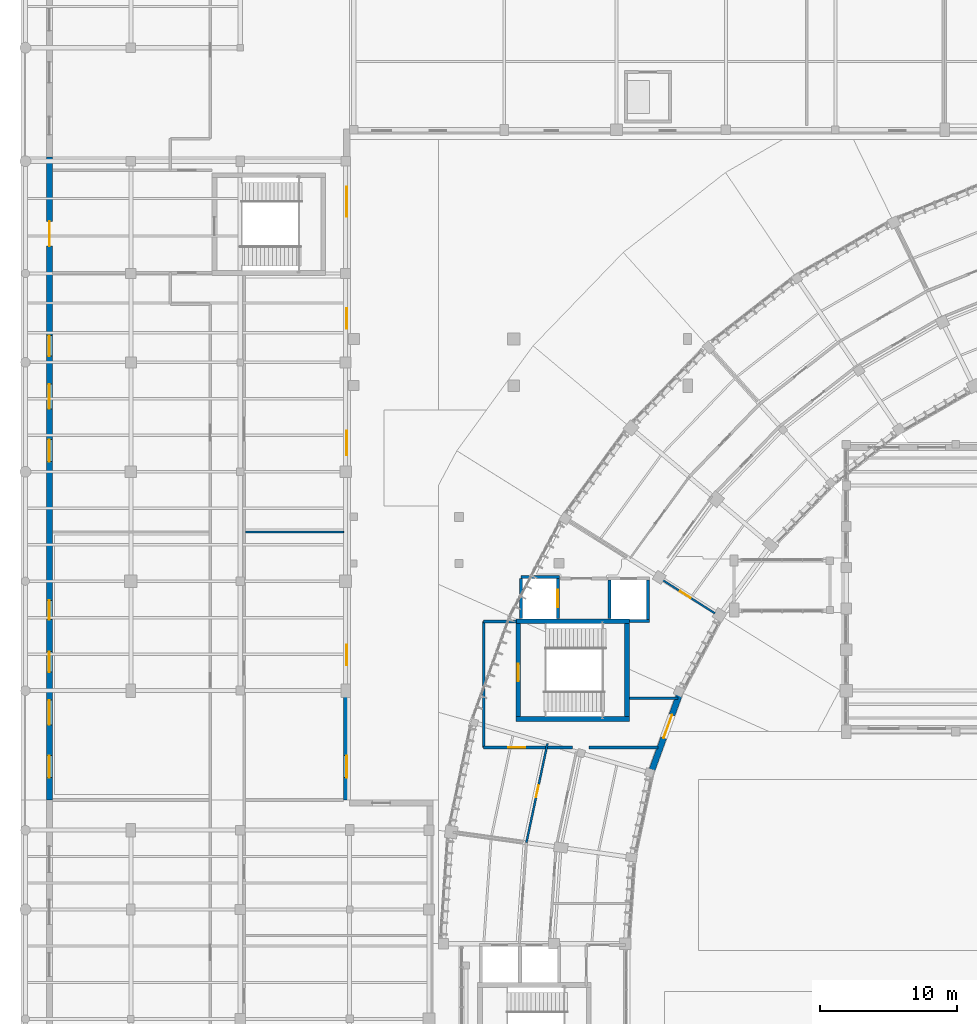
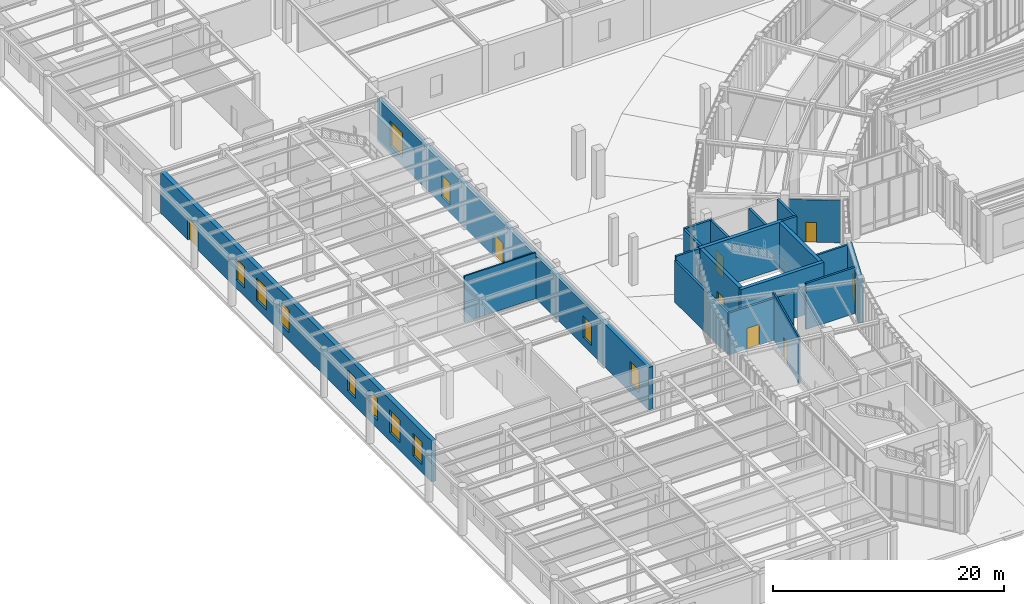
# One storey, part 38 of 68: 21 walls, 11 windows, 8 doors, 19 openings.
"""IFC4 building model written with IfcOpenShell, lengths in metres."""

import ifcopenshell
import ifcopenshell.guid

model = None  # the IFC model being written
_history = None  # IfcOwnerHistory: only IFC2X3 demands one
_inside = {}  # id of a spatial element -> (the spatial element, [elements in it])
_under = {}  # id of a project, library or spatial element -> (it, [spatial elements below it])
_declared = {}  # id of a project -> (the project, [libraries it declares])
_typed = {}  # id of a type object -> (the type object, [elements of that type])
_made_of = {}  # id of a material, layer set ... -> (it, [elements and type objects made of it])


def new_model(schema):
    """Start an empty IFC model of exactly this schema.

    Asked for "IFC4X3", IfcOpenShell would pick the latest addendum, in which some entities
    have other attributes; the version numbers below select the first issue.
    IFC2X3 requires an IfcOwnerHistory on every rooted entity: one is made here for all.
    """
    global model, _history
    if schema == "IFC4X3":
        model = ifcopenshell.file(schema_version=(4, 3, 0, 0))
    else:
        model = ifcopenshell.file(schema=schema)
    _inside.clear()
    _under.clear()
    _declared.clear()
    _typed.clear()
    _made_of.clear()
    _history = None
    if model.schema == "IFC2X3":
        org = make("IfcOrganization", Name="unknown")
        user = make(
            "IfcPersonAndOrganization",
            ThePerson=make("IfcPerson", FamilyName="unknown"),
            TheOrganization=org,
        )
        app = make(
            "IfcApplication",
            ApplicationDeveloper=org,
            Version="unknown",
            ApplicationFullName="unknown",
            ApplicationIdentifier="unknown",
        )
        _history = make(
            "IfcOwnerHistory",
            OwningUser=user,
            OwningApplication=app,
            ChangeAction="ADDED",
            CreationDate=0,
        )
    return model


def make(cls, **values):
    """One entity of the class cls with the attributes given. An attribute that is None is left unset."""
    return model.create_entity(
        cls, **{name: value for name, value in values.items() if value is not None}
    )


def rooted(cls, **values):
    """An entity with a GlobalId (a new one), such as an element, a storey or a relation."""
    return make(cls, GlobalId=ifcopenshell.guid.new(), OwnerHistory=_history, **values)


def si_unit(unit_type, name, prefix=None):
    """IfcSIUnit, for example si_unit("LENGTHUNIT", "METRE", prefix="MILLI")."""
    return make("IfcSIUnit", UnitType=unit_type, Prefix=prefix, Name=name)


def assignment(units):
    """IfcUnitAssignment: the units of a project."""
    return None if units is None else make("IfcUnitAssignment", Units=units)


def point(xyz):
    """IfcCartesianPoint."""
    return None if xyz is None else make("IfcCartesianPoint", Coordinates=xyz)


def direction(xyz):
    """IfcDirection."""
    return None if xyz is None else make("IfcDirection", DirectionRatios=xyz)


def frame(location, z_axis=None, x_axis=None):
    """IfcAxis2Placement3D, a coordinate frame: its origin and axes. An axis left out is left unset."""
    return make(
        "IfcAxis2Placement3D",
        Location=point(location),
        Axis=direction(z_axis),
        RefDirection=direction(x_axis),
    )


def frame_2d(location, x_axis=None):
    """IfcAxis2Placement2D, a coordinate frame in the plane: its origin and x axis."""
    return make(
        "IfcAxis2Placement2D", Location=point(location), RefDirection=direction(x_axis)
    )


def origin():
    """The frame at (0, 0, 0) with its axes left unset."""
    return frame((0.0, 0.0, 0.0))


def place(relative_to, where):
    """IfcLocalPlacement: puts the frame where relative to a parent placement (None: the world)."""
    return make(
        "IfcLocalPlacement", PlacementRelTo=relative_to, RelativePlacement=where
    )


def context(
    kind, dimensions, precision=None, world=None, true_north=None, identifier=None
):
    """IfcGeometricRepresentationContext, for example the 3D "Model" context."""
    return make(
        "IfcGeometricRepresentationContext",
        ContextIdentifier=identifier,
        ContextType=kind,
        CoordinateSpaceDimension=dimensions,
        Precision=precision,
        WorldCoordinateSystem=world,
        TrueNorth=true_north,
    )


def subcontext(parent, identifier, kind, view, scale=None):
    """IfcGeometricRepresentationSubContext, for example "Body" below "Model"."""
    return make(
        "IfcGeometricRepresentationSubContext",
        ContextIdentifier=identifier,
        ContextType=kind,
        ParentContext=parent,
        TargetScale=scale,
        TargetView=view,
    )


def project(units=None, contexts=None):
    """IfcProject with its units and contexts."""
    return rooted(
        "IfcProject",
        Name="project",
        RepresentationContexts=contexts,
        UnitsInContext=assignment(units),
    )


def spatial(cls, under=None, at=None, **own):
    """A site, building, storey or space (cls), placed at a placement, below another one or the project."""
    s = rooted(cls, ObjectPlacement=at, **own)
    if under is not None:
        _under.setdefault(under.id(), (under, []))[1].append(s)
    return s


def profile(cls, at=None, kind="AREA", **sizes):
    """A parametric profile (cls). Its sizes go by their IFC names, for example OverallWidth=200.0."""
    return make(cls, ProfileType=kind, Position=at, **sizes)


def rectangle(**sizes):
    """IfcRectangleProfileDef."""
    return profile("IfcRectangleProfileDef", **sizes)


def extrude(swept, where, along, depth):
    """IfcExtrudedAreaSolid: the profile swept, set in the frame where, extruded along a direction by depth."""
    return make(
        "IfcExtrudedAreaSolid",
        SweptArea=swept,
        Position=where,
        ExtrudedDirection=direction(along),
        Depth=depth,
    )


def shape(context_of_items, identifier, shape_type, items):
    """IfcShapeRepresentation: the items that make up one representation, for example the "Body"."""
    return make(
        "IfcShapeRepresentation",
        ContextOfItems=context_of_items,
        RepresentationIdentifier=identifier,
        RepresentationType=shape_type,
        Items=items,
    )


def material(Name=None, Category=None):
    """IfcMaterial."""
    return make("IfcMaterial", Name=Name, Category=Category)


def layer(
    of_material, thickness, ventilated=None, Name=None, Category=None, Priority=None
):
    """IfcMaterialLayer: one layer of a wall or slab, of a material (None: an air gap)."""
    return make(
        "IfcMaterialLayer",
        Material=of_material,
        LayerThickness=thickness,
        IsVentilated=ventilated,
        Name=Name,
        Category=Category,
        Priority=Priority,
    )


def layer_set(layers, Name=None):
    """IfcMaterialLayerSet."""
    return make("IfcMaterialLayerSet", MaterialLayers=layers, LayerSetName=Name)


def made_of(thing, what):
    """Note that an element or type object is made of a material, layer set ...; save() writes the relation."""
    if what is not None:
        _made_of.setdefault(what.id(), (what, []))[1].append(thing)
    return thing


def type_object(cls, material=None, **own):
    """A type object (cls), such as IfcWallType, which elements share."""
    return made_of(rooted(cls, **own), material)


def element(
    cls,
    number,
    at=None,
    inside=None,
    cuts=None,
    type_object=None,
    material=None,
    context=None,
    identifier="Body",
    shape_type=None,
    held_by="IfcProductDefinitionShape",
    body=None,
    shapes=None,
    **own,
):
    """One element of the class cls, such as IfcWall. Its Tag is "e" and its number.

    at: its placement. inside: the storey or other place that contains it. cuts: it is an
    opening in that element (IfcRelVoidsElement). A single representation is given by context,
    identifier, shape_type and body (its items); several are given by shapes. held_by: the class
    of the entity that holds the representations. save() writes the other relations.
    """
    e = rooted(cls, Tag="e%d" % number, ObjectPlacement=at, **own)
    if body is not None:
        shapes = [shape(context, identifier, shape_type, body)]
    if shapes is not None:
        e.Representation = make(held_by, Representations=shapes)
    if inside is not None:
        _inside.setdefault(inside.id(), (inside, []))[1].append(e)
    if cuts is not None:
        rooted(
            "IfcRelVoidsElement", RelatingBuildingElement=cuts, RelatedOpeningElement=e
        )
    if type_object is not None:
        _typed.setdefault(type_object.id(), (type_object, []))[1].append(e)
    return made_of(e, material)


def fill(opening, filler):
    """IfcRelFillsElement: the door or window that sits in an opening."""
    return rooted(
        "IfcRelFillsElement",
        RelatingOpeningElement=opening,
        RelatedBuildingElement=filler,
    )


def aggregate(whole, parts):
    """IfcRelAggregates: a whole, such as a stair, and the parts it consists of."""
    return rooted("IfcRelAggregates", RelatingObject=whole, RelatedObjects=parts)


def save(model, path):
    """Write the relations noted so far, then the file.

    IfcRelAggregates (storeys below a building ...), IfcRelContainedInSpatialStructure (elements
    in a storey), IfcRelDefinesByType, IfcRelAssociatesMaterial and IfcRelDeclares: one each for
    every whole, place, type object, material and project.
    """
    for whole, parts in _under.values():
        aggregate(whole, parts)
    for where, things in _inside.values():
        rooted(
            "IfcRelContainedInSpatialStructure",
            RelatedElements=things,
            RelatingStructure=where,
        )
    for kind, things in _typed.values():
        rooted("IfcRelDefinesByType", RelatedObjects=things, RelatingType=kind)
    for what, things in _made_of.values():
        rooted("IfcRelAssociatesMaterial", RelatedObjects=things, RelatingMaterial=what)
    for by, libraries in _declared.values():
        rooted("IfcRelDeclares", RelatingContext=by, RelatedDefinitions=libraries)
    model.write(path)


model = new_model("IFC4")

# Units and contexts
model_context = context("Model", 3, precision=1e-05, world=origin(), true_north=direction((0.0, 1.0)))
body_context = subcontext(model_context, "Body", "Model", "MODEL_VIEW")
ifc_project = project(units=[si_unit("LENGTHUNIT", "METRE"), si_unit("AREAUNIT", "SQUARE_METRE"), si_unit("VOLUMEUNIT", "CUBIC_METRE"), si_unit("PLANEANGLEUNIT", "RADIAN"), si_unit("MASSUNIT", "GRAM", prefix="KILO"), si_unit("THERMODYNAMICTEMPERATUREUNIT", "KELVIN"), si_unit("POWERUNIT", "WATT")], contexts=[model_context])

# Site, building, storey
site_placement = place(None, origin())
site = spatial("IfcSite", under=ifc_project, at=site_placement, CompositionType="ELEMENT")
building_placement = place(site_placement, origin())
building = spatial("IfcBuilding", under=site, at=building_placement, Name="Solvatero Civic Police Headquarters", CompositionType="ELEMENT")
storey_placement = place(building_placement, origin())
storey = spatial("IfcBuildingStorey", under=building, at=storey_placement, Name="L00", CompositionType="ELEMENT", Elevation=0.0)

# Wall, openings, door, windows
ifc_material_1 = material(Name="Grey Sandstone Ashlar", Category="masonry")
ifc_layer_1 = layer(ifc_material_1, 0.449951171875)
ifc_layer_set_1 = layer_set([ifc_layer_1], Name="Grey Sandstone Ashlar")
wall_type_1 = type_object("IfcWallType", Name="WL-EXT-SAND-450", PredefinedType="SOLIDWALL", material=ifc_layer_set_1)
wall_1_placement = place(storey_placement, frame((6.550048828125, 36.5, 0.0), z_axis=(0.0, 0.0, 1.0), x_axis=(0.0, 1.0, 0.0)))
wall_1 = element("IfcWall", 1, at=wall_1_placement, inside=storey, type_object=wall_type_1, Name="Exterior Wall WLE-L00-V6-W", PredefinedType="SOLIDWALL", context=body_context, shape_type="SweptSolid", body=[
    extrude(rectangle(XDim=47.0, YDim=0.449951171875, at=frame_2d((23.5, 0.0))), origin(), (0.0, 0.0, 1.0), 4.367919921875),
])
opening_1_placement = place(wall_1_placement, frame((40.5, 0.0, 0.0)))
opening_1 = element("IfcOpeningElement", 2, at=opening_1_placement, cuts=wall_1, Name="Opening ED-04", PredefinedType="OPENING", context=body_context, shape_type="SweptSolid", body=[
    extrude(rectangle(XDim=1.800048828125, YDim=2.39990234375, at=frame_2d((0.89990234375, 1.199951171875))), frame((0.0, 0.23486328125, 0.0), z_axis=(0.0, -1.0, 0.0), x_axis=(1.0, 0.0, 0.0)), (0.0, 0.0, 1.0), 0.469970703125),
])
opening_2_placement = place(wall_1_placement, frame((1.64990234375, 0.0, 0.85009765625)))
opening_2 = element("IfcOpeningElement", 3, at=opening_2_placement, cuts=wall_1, Name="Opening W-04", PredefinedType="OPENING", context=body_context, shape_type="SweptSolid", body=[
    extrude(rectangle(XDim=1.60009765625, YDim=2.39990234375, at=frame_2d((0.800048828125, 1.199951171875))), frame((0.0, 0.23486328125, 0.0), z_axis=(0.0, -1.0, 0.0), x_axis=(1.0, 0.0, 0.0)), (0.0, 0.0, 1.0), 0.469970703125),
])
opening_3_placement = place(wall_1_placement, frame((5.5, 0.0, 0.85009765625)))
opening_3 = element("IfcOpeningElement", 4, at=opening_3_placement, cuts=wall_1, Name="Opening W-05", PredefinedType="OPENING", context=body_context, shape_type="SweptSolid", body=[
    extrude(rectangle(XDim=1.800048828125, YDim=2.39990234375, at=frame_2d((0.89990234375, 1.199951171875))), frame((0.0, 0.23486328125, 0.0), z_axis=(0.0, -1.0, 0.0), x_axis=(1.0, 0.0, 0.0)), (0.0, 0.0, 1.0), 0.469970703125),
])
opening_4_placement = place(wall_1_placement, frame((9.35009765625, 0.0, 0.85009765625)))
opening_4 = element("IfcOpeningElement", 5, at=opening_4_placement, cuts=wall_1, Name="Opening W-03", PredefinedType="OPENING", context=body_context, shape_type="SweptSolid", body=[
    extrude(rectangle(XDim=1.5, YDim=2.300048828125, at=frame_2d((0.75, 1.14990234375))), frame((0.0, 0.23486328125, 0.0), z_axis=(0.0, -1.0, 0.0), x_axis=(1.0, 0.0, 0.0)), (0.0, 0.0, 1.0), 0.469970703125),
])
opening_5_placement = place(wall_1_placement, frame((13.199951171875, 0.0, 0.85009765625)))
opening_5 = element("IfcOpeningElement", 6, at=opening_5_placement, cuts=wall_1, Name="Opening W-02", PredefinedType="OPENING", context=body_context, shape_type="SweptSolid", body=[
    extrude(rectangle(XDim=1.39990234375, YDim=2.199951171875, at=frame_2d((0.699951171875, 1.10009765625))), frame((0.0, 0.23486328125, 0.0), z_axis=(0.0, -1.0, 0.0), x_axis=(1.0, 0.0, 0.0)), (0.0, 0.0, 1.0), 0.469970703125),
])
opening_6_placement = place(wall_1_placement, frame((24.75, 0.0, 0.85009765625)))
opening_6 = element("IfcOpeningElement", 7, at=opening_6_placement, cuts=wall_1, Name="Opening W-04", PredefinedType="OPENING", context=body_context, shape_type="SweptSolid", body=[
    extrude(rectangle(XDim=1.60009765625, YDim=2.39990234375, at=frame_2d((0.800048828125, 1.199951171875))), frame((0.0, 0.23486328125, 0.0), z_axis=(0.0, -1.0, 0.0), x_axis=(1.0, 0.0, 0.0)), (0.0, 0.0, 1.0), 0.469970703125),
])
opening_7_placement = place(wall_1_placement, frame((28.60009765625, 0.0, 0.85009765625)))
opening_7 = element("IfcOpeningElement", 8, at=opening_7_placement, cuts=wall_1, Name="Opening W-05", PredefinedType="OPENING", context=body_context, shape_type="SweptSolid", body=[
    extrude(rectangle(XDim=1.800048828125, YDim=2.39990234375, at=frame_2d((0.89990234375, 1.199951171875))), frame((0.0, 0.23486328125, 0.0), z_axis=(0.0, -1.0, 0.0), x_axis=(1.0, 0.0, 0.0)), (0.0, 0.0, 1.0), 0.469970703125),
])
opening_8_placement = place(wall_1_placement, frame((32.449951171875, 0.0, 0.85009765625)))
opening_8 = element("IfcOpeningElement", 9, at=opening_8_placement, cuts=wall_1, Name="Opening W-03", PredefinedType="OPENING", context=body_context, shape_type="SweptSolid", body=[
    extrude(rectangle(XDim=1.5, YDim=2.300048828125, at=frame_2d((0.75, 1.14990234375))), frame((0.0, 0.23486328125, 0.0), z_axis=(0.0, -1.0, 0.0), x_axis=(1.0, 0.0, 0.0)), (0.0, 0.0, 1.0), 0.469970703125),
])
ifc_material_2 = material(Name="Anodized Bronze Aluminium and Laminated Glass", Category="aluminium")
door_type_1 = type_object("IfcDoorType", Name="DR-EXT-180x240", OperationType="DOUBLE_DOOR_SINGLE_SWING", PredefinedType="DOOR", material=ifc_material_2)
door_1_placement = place(opening_1_placement, origin())
door_1 = element("IfcDoor", 10, at=door_1_placement, inside=storey, type_object=door_type_1, Name="Exterior Door DR-L00-C4-EXIT", OperationType="DOUBLE_DOOR_SINGLE_SWING", OverallHeight=2.39990234375, OverallWidth=1.800048828125, PredefinedType="DOOR", context=body_context, shape_type="SweptSolid", body=[
    extrude(rectangle(XDim=1.800048828125, YDim=2.39990234375, at=frame_2d((0.89990234375, 1.199951171875))), frame((0.0, 0.02490234375, 0.0), z_axis=(0.0, -1.0, 0.0), x_axis=(1.0, 0.0, 0.0)), (0.0, 0.0, 1.0), 0.050048828125),
])
fill(opening_1, door_1)
ifc_material_3 = material(Name="Anodized Bronze Aluminium", Category="aluminium")
window_type_1 = type_object("IfcWindowType", Name="WN-CL-140x220", PartitioningType="SINGLE_PANEL", PredefinedType="WINDOW", material=ifc_material_3)
window_1_placement = place(opening_5_placement, origin())
window_1 = element("IfcWindow", 11, at=window_1_placement, inside=storey, type_object=window_type_1, Name="Exterior Window 0056", OverallHeight=2.199951171875, OverallWidth=1.39990234375, PartitioningType="SINGLE_PANEL", PredefinedType="WINDOW", context=body_context, shape_type="SweptSolid", body=[
    extrude(rectangle(XDim=1.39990234375, YDim=2.199951171875, at=frame_2d((0.699951171875, 1.10009765625))), frame((0.0, 0.030029296875, 0.0), z_axis=(0.0, -1.0, 0.0), x_axis=(1.0, 0.0, 0.0)), (0.0, 0.0, 1.0), 0.06005859375),
])
fill(opening_5, window_1)
window_type_2 = type_object("IfcWindowType", Name="WN-CL-150x230", PartitioningType="SINGLE_PANEL", PredefinedType="WINDOW", material=ifc_material_3)
window_2_placement = place(opening_4_placement, origin())
window_2 = element("IfcWindow", 12, at=window_2_placement, inside=storey, type_object=window_type_2, Name="Exterior Window 0055", OverallHeight=2.300048828125, OverallWidth=1.5, PartitioningType="SINGLE_PANEL", PredefinedType="WINDOW", context=body_context, shape_type="SweptSolid", body=[
    extrude(rectangle(XDim=1.5, YDim=2.300048828125, at=frame_2d((0.75, 1.14990234375))), frame((0.0, 0.030029296875, 0.0), z_axis=(0.0, -1.0, 0.0), x_axis=(1.0, 0.0, 0.0)), (0.0, 0.0, 1.0), 0.06005859375),
])
fill(opening_4, window_2)
window_3_placement = place(opening_8_placement, origin())
window_3 = element("IfcWindow", 13, at=window_3_placement, inside=storey, type_object=window_type_2, Name="Exterior Window 0059", OverallHeight=2.300048828125, OverallWidth=1.5, PartitioningType="SINGLE_PANEL", PredefinedType="WINDOW", context=body_context, shape_type="SweptSolid", body=[
    extrude(rectangle(XDim=1.5, YDim=2.300048828125, at=frame_2d((0.75, 1.14990234375))), frame((0.0, 0.030029296875, 0.0), z_axis=(0.0, -1.0, 0.0), x_axis=(1.0, 0.0, 0.0)), (0.0, 0.0, 1.0), 0.06005859375),
])
fill(opening_8, window_3)
window_type_3 = type_object("IfcWindowType", Name="WN-CL-160x240", PartitioningType="SINGLE_PANEL", PredefinedType="WINDOW", material=ifc_material_3)
window_4_placement = place(opening_2_placement, origin())
window_4 = element("IfcWindow", 14, at=window_4_placement, inside=storey, type_object=window_type_3, Name="Exterior Window 0053", OverallHeight=2.39990234375, OverallWidth=1.60009765625, PartitioningType="SINGLE_PANEL", PredefinedType="WINDOW", context=body_context, shape_type="SweptSolid", body=[
    extrude(rectangle(XDim=1.60009765625, YDim=2.39990234375, at=frame_2d((0.800048828125, 1.199951171875))), frame((0.0, 0.030029296875, 0.0), z_axis=(0.0, -1.0, 0.0), x_axis=(1.0, 0.0, 0.0)), (0.0, 0.0, 1.0), 0.06005859375),
])
fill(opening_2, window_4)
window_5_placement = place(opening_6_placement, origin())
window_5 = element("IfcWindow", 15, at=window_5_placement, inside=storey, type_object=window_type_3, Name="Exterior Window 0057", OverallHeight=2.39990234375, OverallWidth=1.60009765625, PartitioningType="SINGLE_PANEL", PredefinedType="WINDOW", context=body_context, shape_type="SweptSolid", body=[
    extrude(rectangle(XDim=1.60009765625, YDim=2.39990234375, at=frame_2d((0.800048828125, 1.199951171875))), frame((0.0, 0.030029296875, 0.0), z_axis=(0.0, -1.0, 0.0), x_axis=(1.0, 0.0, 0.0)), (0.0, 0.0, 1.0), 0.06005859375),
])
fill(opening_6, window_5)
window_type_4 = type_object("IfcWindowType", Name="WN-CL-180x240", PartitioningType="SINGLE_PANEL", PredefinedType="WINDOW", material=ifc_material_3)
window_6_placement = place(opening_3_placement, origin())
window_6 = element("IfcWindow", 16, at=window_6_placement, inside=storey, type_object=window_type_4, Name="Exterior Window 0054", OverallHeight=2.39990234375, OverallWidth=1.800048828125, PartitioningType="SINGLE_PANEL", PredefinedType="WINDOW", context=body_context, shape_type="SweptSolid", body=[
    extrude(rectangle(XDim=1.800048828125, YDim=2.39990234375, at=frame_2d((0.89990234375, 1.199951171875))), frame((0.0, 0.030029296875, 0.0), z_axis=(0.0, -1.0, 0.0), x_axis=(1.0, 0.0, 0.0)), (0.0, 0.0, 1.0), 0.06005859375),
])
fill(opening_3, window_6)
window_7_placement = place(opening_7_placement, origin())
window_7 = element("IfcWindow", 17, at=window_7_placement, inside=storey, type_object=window_type_4, Name="Exterior Window 0058", OverallHeight=2.39990234375, OverallWidth=1.800048828125, PartitioningType="SINGLE_PANEL", PredefinedType="WINDOW", context=body_context, shape_type="SweptSolid", body=[
    extrude(rectangle(XDim=1.800048828125, YDim=2.39990234375, at=frame_2d((0.89990234375, 1.199951171875))), frame((0.0, 0.030029296875, 0.0), z_axis=(0.0, -1.0, 0.0), x_axis=(1.0, 0.0, 0.0)), (0.0, 0.0, 1.0), 0.06005859375),
])
fill(opening_7, window_7)

wall_2_placement = place(storey_placement, frame((28.280029296875, 36.5, 0.0), z_axis=(0.0, 0.0, 1.0), x_axis=(0.0, 1.0, 0.0)))
wall_2 = element("IfcWall", 18, at=wall_2_placement, inside=storey, type_object=wall_type_1, Name="Exterior Wall WLE-L00-V6-E", PredefinedType="SOLIDWALL", context=body_context, shape_type="SweptSolid", body=[
    extrude(rectangle(XDim=47.0, YDim=0.449951171875, at=frame_2d((23.5, 0.0))), origin(), (0.0, 0.0, 1.0), 4.52001953125),
])
opening_9_placement = place(wall_2_placement, frame((27.0, 0.0, 0.0), z_axis=(0.0, 0.0, 1.0), x_axis=(-1.0, 0.0, 0.0)))
opening_9 = element("IfcOpeningElement", 19, at=opening_9_placement, cuts=wall_2, Name="Opening ED-04", PredefinedType="OPENING", context=body_context, shape_type="SweptSolid", body=[
    extrude(rectangle(XDim=1.800048828125, YDim=2.39990234375, at=frame_2d((0.89990234375, 1.199951171875))), frame((0.0, 0.23486328125, 0.0), z_axis=(0.0, -1.0, 0.0), x_axis=(1.0, 0.0, 0.0)), (0.0, 0.0, 1.0), 0.469970703125),
])
opening_10_placement = place(wall_2_placement, frame((1.64990234375, 0.0, 0.85009765625)))
opening_10 = element("IfcOpeningElement", 20, at=opening_10_placement, cuts=wall_2, Name="Opening W-04", PredefinedType="OPENING", context=body_context, shape_type="SweptSolid", body=[
    extrude(rectangle(XDim=1.60009765625, YDim=2.39990234375, at=frame_2d((0.800048828125, 1.199951171875))), frame((0.0, 0.23486328125, 0.0), z_axis=(0.0, -1.0, 0.0), x_axis=(1.0, 0.0, 0.0)), (0.0, 0.0, 1.0), 0.469970703125),
])
opening_11_placement = place(wall_2_placement, frame((9.85009765625, 0.0, 0.85009765625)))
opening_11 = element("IfcOpeningElement", 21, at=opening_11_placement, cuts=wall_2, Name="Opening W-03", PredefinedType="OPENING", context=body_context, shape_type="SweptSolid", body=[
    extrude(rectangle(XDim=1.5, YDim=2.300048828125, at=frame_2d((0.75, 1.14990234375))), frame((0.0, 0.23486328125, 0.0), z_axis=(0.0, -1.0, 0.0), x_axis=(1.0, 0.0, 0.0)), (0.0, 0.0, 1.0), 0.469970703125),
])
opening_12_placement = place(wall_2_placement, frame((34.449951171875, 0.0, 0.85009765625)))
opening_12 = element("IfcOpeningElement", 22, at=opening_12_placement, cuts=wall_2, Name="Opening W-03", PredefinedType="OPENING", context=body_context, shape_type="SweptSolid", body=[
    extrude(rectangle(XDim=1.5, YDim=2.300048828125, at=frame_2d((0.75, 1.14990234375))), frame((0.0, 0.23486328125, 0.0), z_axis=(0.0, -1.0, 0.0), x_axis=(1.0, 0.0, 0.0)), (0.0, 0.0, 1.0), 0.469970703125),
])
opening_13_placement = place(wall_2_placement, frame((42.64990234375, 0.0, 0.85009765625)))
opening_13 = element("IfcOpeningElement", 23, at=opening_13_placement, cuts=wall_2, Name="Opening W-07", PredefinedType="OPENING", context=body_context, shape_type="SweptSolid", body=[
    extrude(rectangle(XDim=2.199951171875, YDim=2.60009765625, at=frame_2d((1.10009765625, 1.300048828125))), frame((0.0, 0.23486328125, 0.0), z_axis=(0.0, -1.0, 0.0), x_axis=(1.0, 0.0, 0.0)), (0.0, 0.0, 1.0), 0.469970703125),
])
door_2_placement = place(opening_9_placement, origin())
door_2 = element("IfcDoor", 24, at=door_2_placement, inside=storey, type_object=door_type_1, Name="Exterior Door DR-L00-V6-COURT", OperationType="DOUBLE_DOOR_SINGLE_SWING", OverallHeight=2.39990234375, OverallWidth=1.800048828125, PredefinedType="DOOR", context=body_context, shape_type="SweptSolid", body=[
    extrude(rectangle(XDim=1.800048828125, YDim=2.39990234375, at=frame_2d((0.89990234375, 1.199951171875))), frame((0.0, 0.02490234375, 0.0), z_axis=(0.0, -1.0, 0.0), x_axis=(1.0, 0.0, 0.0)), (0.0, 0.0, 1.0), 0.050048828125),
])
fill(opening_9, door_2)
window_8_placement = place(opening_11_placement, origin())
window_8 = element("IfcWindow", 25, at=window_8_placement, inside=storey, type_object=window_type_2, Name="Exterior Window 0050", OverallHeight=2.300048828125, OverallWidth=1.5, PartitioningType="SINGLE_PANEL", PredefinedType="WINDOW", context=body_context, shape_type="SweptSolid", body=[
    extrude(rectangle(XDim=1.5, YDim=2.300048828125, at=frame_2d((0.75, 1.14990234375))), frame((0.0, 0.030029296875, 0.0), z_axis=(0.0, -1.0, 0.0), x_axis=(1.0, 0.0, 0.0)), (0.0, 0.0, 1.0), 0.06005859375),
])
fill(opening_11, window_8)
window_9_placement = place(opening_12_placement, origin())
window_9 = element("IfcWindow", 26, at=window_9_placement, inside=storey, type_object=window_type_2, Name="Exterior Window 0051", OverallHeight=2.300048828125, OverallWidth=1.5, PartitioningType="SINGLE_PANEL", PredefinedType="WINDOW", context=body_context, shape_type="SweptSolid", body=[
    extrude(rectangle(XDim=1.5, YDim=2.300048828125, at=frame_2d((0.75, 1.14990234375))), frame((0.0, 0.030029296875, 0.0), z_axis=(0.0, -1.0, 0.0), x_axis=(1.0, 0.0, 0.0)), (0.0, 0.0, 1.0), 0.06005859375),
])
fill(opening_12, window_9)
window_10_placement = place(opening_10_placement, origin())
window_10 = element("IfcWindow", 27, at=window_10_placement, inside=storey, type_object=window_type_3, Name="Exterior Window 0049", OverallHeight=2.39990234375, OverallWidth=1.60009765625, PartitioningType="SINGLE_PANEL", PredefinedType="WINDOW", context=body_context, shape_type="SweptSolid", body=[
    extrude(rectangle(XDim=1.60009765625, YDim=2.39990234375, at=frame_2d((0.800048828125, 1.199951171875))), frame((0.0, 0.030029296875, 0.0), z_axis=(0.0, -1.0, 0.0), x_axis=(1.0, 0.0, 0.0)), (0.0, 0.0, 1.0), 0.06005859375),
])
fill(opening_10, window_10)
window_type_5 = type_object("IfcWindowType", Name="WN-CL-220x260", PartitioningType="SINGLE_PANEL", PredefinedType="WINDOW", material=ifc_material_3)
window_11_placement = place(opening_13_placement, origin())
window_11 = element("IfcWindow", 28, at=window_11_placement, inside=storey, type_object=window_type_5, Name="Exterior Window 0052", OverallHeight=2.60009765625, OverallWidth=2.199951171875, PartitioningType="SINGLE_PANEL", PredefinedType="WINDOW", context=body_context, shape_type="SweptSolid", body=[
    extrude(rectangle(XDim=2.199951171875, YDim=2.60009765625, at=frame_2d((1.10009765625, 1.300048828125))), frame((0.0, 0.030029296875, 0.0), z_axis=(0.0, -1.0, 0.0), x_axis=(1.0, 0.0, 0.0)), (0.0, 0.0, 1.0), 0.06005859375),
])
fill(opening_13, window_11)

# Wall, opening, door
wall_3_placement = place(storey_placement, frame((52.577880859375, 44.139892578125, 0.0), z_axis=(0.0, 0.0, 1.0), x_axis=(-0.342022226581, -0.939691862541, 0.0)))
wall_3 = element("IfcWall", 29, at=wall_3_placement, inside=storey, type_object=wall_type_1, Name="Exterior Wall WLE-L00-C2-EXIT", PredefinedType="SOLIDWALL", context=body_context, shape_type="SweptSolid", body=[
    extrude(rectangle(XDim=5.757568359375, YDim=0.449951171875, at=frame_2d((2.87890625, 0.0))), origin(), (0.0, 0.0, 1.0), 4.580078125),
])
opening_14_placement = place(wall_3_placement, frame((1.5, 0.0, 0.0)))
opening_14 = element("IfcOpeningElement", 30, at=opening_14_placement, cuts=wall_3, Name="Opening ED-04", PredefinedType="OPENING", context=body_context, shape_type="SweptSolid", body=[
    extrude(rectangle(XDim=1.800048828125, YDim=2.39990234375, at=frame_2d((0.89990234375, 1.199951171875))), frame((0.0, 0.23486328125, 0.0), z_axis=(0.0, -1.0, 0.0), x_axis=(1.0, 0.0, 0.0)), (0.0, 0.0, 1.0), 0.469970703125),
])
door_3_placement = place(opening_14_placement, origin())
door_3 = element("IfcDoor", 31, at=door_3_placement, inside=storey, type_object=door_type_1, Name="Exterior Door DR-L00-EXIT-C2", OperationType="DOUBLE_DOOR_SINGLE_SWING", OverallHeight=2.39990234375, OverallWidth=1.800048828125, PredefinedType="DOOR", context=body_context, shape_type="SweptSolid", body=[
    extrude(rectangle(XDim=1.800048828125, YDim=2.39990234375, at=frame_2d((0.89990234375, 1.199951171875))), frame((0.0, 0.02490234375, 0.0), z_axis=(0.0, -1.0, 0.0), x_axis=(1.0, 0.0, 0.0)), (0.0, 0.0, 1.0), 0.050048828125),
])
fill(opening_14, door_3)

# Wall
ifc_material_4 = material(Name="Gypsum Double-Stud", Category="gypsum")
ifc_layer_2 = layer(ifc_material_4, 0.135009765625)
ifc_layer_set_2 = layer_set([ifc_layer_2], Name="Gypsum Double-Stud")
wall_type_2 = type_object("IfcWallType", Name="WL-PTN-135", PredefinedType="PARTITIONING", material=ifc_layer_set_2)
wall_4_placement = place(storey_placement, frame((20.89990234375, 56.10009765625, 0.0), z_axis=(0.0, 0.0, 1.0), x_axis=(1.0, 0.0, 0.0)))
element("IfcWall", 32, at=wall_4_placement, inside=storey, type_object=wall_type_2, Name="Interior Partition WLP-L00-V6-H2", PredefinedType="PARTITIONING", context=body_context, shape_type="SweptSolid", body=[
    extrude(rectangle(XDim=7.150146484375, YDim=0.135009765625, at=frame_2d((3.5751953125, 0.0))), origin(), (0.0, 0.0, 1.0), 4.860107421875),
])

# Wall, opening, door
wall_5_placement = place(storey_placement, frame((51.35009765625, 52.60009765625, 0.0), z_axis=(0.0, 0.0, 1.0), x_axis=(0.84363284859, -0.536920493909, 0.0)))
wall_5 = element("IfcWall", 33, at=wall_5_placement, inside=storey, type_object=wall_type_2, Name="Interior Partition WLP-L00-ARC-CIN-B09C", PredefinedType="PARTITIONING", context=body_context, shape_type="SweptSolid", body=[
    extrude(rectangle(XDim=4.5634765625, YDim=0.135009765625, at=frame_2d((2.28173828125, 0.0))), origin(), (0.0, 0.0, 1.0), 4.47998046875),
])
opening_15_placement = place(wall_5_placement, frame((1.550048828125, 0.0, 0.0)))
opening_15 = element("IfcOpeningElement", 34, at=opening_15_placement, cuts=wall_5, Name="Opening ID-02", PredefinedType="OPENING", context=body_context, shape_type="SweptSolid", body=[
    extrude(rectangle(XDim=0.89990234375, YDim=2.10009765625, at=frame_2d((0.449951171875, 1.050048828125))), frame((0.0, 0.077392578125, 0.0), z_axis=(0.0, -1.0, 0.0), x_axis=(1.0, 0.0, 0.0)), (0.0, 0.0, 1.0), 0.155029296875),
])
ifc_material_5 = material(Name="Acoustic Oak Timber Veneer", Category="wood")
door_type_2 = type_object("IfcDoorType", Name="DR-OFF-090x210", OperationType="NOTDEFINED", PredefinedType="DOOR", material=ifc_material_5)
door_4_placement = place(opening_15_placement, origin())
door_4 = element("IfcDoor", 35, at=door_4_placement, inside=storey, type_object=door_type_2, Name="Interior Door DR-L00-ARC-IN-B09", OperationType="SINGLE_SWING_RIGHT", OverallHeight=2.10009765625, OverallWidth=0.89990234375, PredefinedType="DOOR", context=body_context, shape_type="SweptSolid", body=[
    extrude(rectangle(XDim=0.89990234375, YDim=2.10009765625, at=frame_2d((0.449951171875, 1.050048828125))), frame((0.0, 0.02490234375, 0.0), z_axis=(0.0, -1.0, 0.0), x_axis=(1.0, 0.0, 0.0)), (0.0, 0.0, 1.0), 0.050048828125),
])
fill(opening_15, door_4)

ifc_material_6 = material(Name="Gypsum Acoustic Stud", Category="gypsum")
ifc_layer_3 = layer(ifc_material_6, 0.14990234375)
ifc_layer_set_3 = layer_set([ifc_layer_3], Name="Gypsum Acoustic Stud")
wall_type_3 = type_object("IfcWallType", Name="WL-PTN-150", PredefinedType="PARTITIONING", material=ifc_layer_set_3)
wall_6_placement = place(storey_placement, frame((42.95703125, 40.63623046875, 0.0), z_axis=(0.0, 0.0, 1.0), x_axis=(-0.207921820376, -0.978145447575, 0.0)))
wall_6 = element("IfcWall", 36, at=wall_6_placement, inside=storey, type_object=wall_type_3, Name="Interior Partition WLP-L00-ARC-COUT-B11", PredefinedType="PARTITIONING", context=body_context, shape_type="SweptSolid", body=[
    extrude(rectangle(XDim=7.407958984375, YDim=0.14990234375, at=frame_2d((3.7041015625, 0.0))), origin(), (0.0, 0.0, 1.0), 4.860107421875),
])
opening_16_placement = place(wall_6_placement, frame((3.111083984375, 0.0, 0.0)))
opening_16 = element("IfcOpeningElement", 37, at=opening_16_placement, cuts=wall_6, Name="Opening ID-02", PredefinedType="OPENING", context=body_context, shape_type="SweptSolid", body=[
    extrude(rectangle(XDim=0.89990234375, YDim=2.10009765625, at=frame_2d((0.449951171875, 1.050048828125))), frame((0.0, 0.0849609375, 0.0), z_axis=(0.0, -1.0, 0.0), x_axis=(1.0, 0.0, 0.0)), (0.0, 0.0, 1.0), 0.169921875),
])
door_5_placement = place(opening_16_placement, origin())
door_5 = element("IfcDoor", 38, at=door_5_placement, inside=storey, type_object=door_type_2, Name="Interior Door DR-L00-ARC-OUT-B11", OperationType="SINGLE_SWING_RIGHT", OverallHeight=2.10009765625, OverallWidth=0.89990234375, PredefinedType="DOOR", context=body_context, shape_type="SweptSolid", body=[
    extrude(rectangle(XDim=0.89990234375, YDim=2.10009765625, at=frame_2d((0.449951171875, 1.050048828125))), frame((0.0, 0.02490234375, 0.0), z_axis=(0.0, -1.0, 0.0), x_axis=(1.0, 0.0, 0.0)), (0.0, 0.0, 1.0), 0.050048828125),
])
fill(opening_16, door_5)

# Walls
ifc_material_7 = material(Name="Concrete Blockwork", Category="masonry")
ifc_layer_4 = layer(ifc_material_7, 0.199951171875)
ifc_layer_set_4 = layer_set([ifc_layer_4], Name="Concrete Blockwork")
wall_type_4 = type_object("IfcWallType", Name="WL-PTN-200", PredefinedType="PARTITIONING", material=ifc_layer_set_4)
wall_7_placement = place(storey_placement, frame((38.300048828125, 40.35009765625, 0.0), z_axis=(0.0, 0.0, 1.0), x_axis=(0.0, 1.0, 0.0)))
element("IfcWall", 39, at=wall_7_placement, inside=storey, type_object=wall_type_4, Name="Interior Partition WLP-L00-EXIT-C2-W", PredefinedType="PARTITIONING", context=body_context, shape_type="SweptSolid", body=[
    extrude(rectangle(XDim=9.199951171875, YDim=0.199951171875, at=frame_2d((4.60009765625, 0.0))), origin(), (0.0, 0.0, 1.0), 4.427978515625),
])
wall_8_placement = place(storey_placement, frame((38.300048828125, 49.550048828125, 0.0), z_axis=(0.0, 0.0, 1.0), x_axis=(1.0, 0.0, 0.0)))
element("IfcWall", 40, at=wall_8_placement, inside=storey, type_object=wall_type_4, Name="Interior Partition WLP-L00-EXIT-C2-N", PredefinedType="PARTITIONING", context=body_context, shape_type="SweptSolid", body=[
    extrude(rectangle(XDim=2.39990234375, YDim=0.199951171875, at=frame_2d((1.199951171875, 0.0))), origin(), (0.0, 0.0, 1.0), 4.860107421875),
])

# Wall, opening, door
wall_9_placement = place(storey_placement, frame((38.300048828125, 40.35009765625, 0.0), z_axis=(0.0, 0.0, 1.0), x_axis=(1.0, 0.0, 0.0)))
wall_9 = element("IfcWall", 41, at=wall_9_placement, inside=storey, type_object=wall_type_4, Name="Interior Partition WLP-L00-EXIT-C2-S", PredefinedType="PARTITIONING", context=body_context, shape_type="SweptSolid", body=[
    extrude(rectangle(XDim=6.5, YDim=0.199951171875, at=frame_2d((3.25, 0.0))), origin(), (0.0, 0.0, 1.0), 4.427978515625),
])
opening_17_placement = place(wall_9_placement, frame((1.800048828125, 0.0, 0.0)))
opening_17 = element("IfcOpeningElement", 42, at=opening_17_placement, cuts=wall_9, Name="Opening FD-01", PredefinedType="OPENING", context=body_context, shape_type="SweptSolid", body=[
    extrude(rectangle(XDim=1.25, YDim=2.199951171875, at=frame_2d((0.625, 1.10009765625))), frame((0.0, 0.10986328125, 0.0), z_axis=(0.0, -1.0, 0.0), x_axis=(1.0, 0.0, 0.0)), (0.0, 0.0, 1.0), 0.219970703125),
])
ifc_material_8 = material(Name="Powder-Coated Steel", Category="steel")
door_type_3 = type_object("IfcDoorType", Name="DR-STR-125x220", OperationType="NOTDEFINED", PredefinedType="DOOR", material=ifc_material_8)
door_6_placement = place(opening_17_placement, origin())
door_6 = element("IfcDoor", 43, at=door_6_placement, inside=storey, type_object=door_type_3, Name="Interior Door DR-L00-C2PASS-IN", OperationType="SINGLE_SWING_LEFT", OverallHeight=2.199951171875, OverallWidth=1.25, PredefinedType="DOOR", context=body_context, shape_type="SweptSolid", body=[
    extrude(rectangle(XDim=1.25, YDim=2.199951171875, at=frame_2d((0.625, 1.10009765625))), frame((0.0, 0.02490234375, 0.0), z_axis=(0.0, -1.0, 0.0), x_axis=(1.0, 0.0, 0.0)), (0.0, 0.0, 1.0), 0.050048828125),
])
fill(opening_17, door_6)

# Walls
wall_10_placement = place(storey_placement, frame((46.0, 40.35009765625, 0.0), z_axis=(0.0, 0.0, 1.0), x_axis=(1.0, 0.0, 0.0)))
element("IfcWall", 44, at=wall_10_placement, inside=storey, type_object=wall_type_4, Name="Interior Partition WLP-L00-EXIT-C2-SE", PredefinedType="PARTITIONING", context=body_context, shape_type="SweptSolid", body=[
    extrude(rectangle(XDim=5.050048828125, YDim=0.199951171875, at=frame_2d((2.52490234375, 0.0))), origin(), (0.0, 0.0, 1.0), 4.860107421875),
])
wall_11_placement = place(storey_placement, frame((48.949951171875, 43.949951171875, 0.0), z_axis=(0.0, 0.0, 1.0), x_axis=(1.0, 0.0, 0.0)))
element("IfcWall", 45, at=wall_11_placement, inside=storey, type_object=wall_type_4, Name="Interior Partition WLP-L00-EXIT-C2-NE", PredefinedType="PARTITIONING", context=body_context, shape_type="SweptSolid", body=[
    extrude(rectangle(XDim=3.550048828125, YDim=0.199951171875, at=frame_2d((1.77490234375, 0.0))), origin(), (0.0, 0.0, 1.0), 4.577880859375),
])
ifc_material_9 = material(Name="Concrete C35/45", Category="concrete")
ifc_layer_5 = layer(ifc_material_9, 0.219970703125)
ifc_layer_set_5 = layer_set([ifc_layer_5], Name="Concrete C35/45")
wall_type_5 = type_object("IfcWallType", Name="WL-SHF-220", PredefinedType="PARTITIONING", material=ifc_layer_set_5)
wall_12_placement = place(storey_placement, frame((41.02001953125, 52.81005859375, 0.0), z_axis=(0.0, 0.0, 1.0), x_axis=(1.0, 0.0, 0.0)))
element("IfcWall", 46, at=wall_12_placement, inside=storey, type_object=wall_type_5, Name="Lift Shaft Wall WLS-FL-02-L00-N", PredefinedType="PARTITIONING", context=body_context, shape_type="SweptSolid", body=[
    extrude(rectangle(XDim=2.800048828125, YDim=0.219970703125, at=frame_2d((1.39990234375, 0.0))), origin(), (0.0, 0.0, 1.0), 4.860107421875),
])
wall_13_placement = place(storey_placement, frame((41.02001953125, 49.760009765625, 0.0), z_axis=(0.0, 0.0, 1.0), x_axis=(0.0, 1.0, 0.0)))
element("IfcWall", 47, at=wall_13_placement, inside=storey, type_object=wall_type_5, Name="Lift Shaft Wall WLS-FL-02-L00-W", PredefinedType="PARTITIONING", context=body_context, shape_type="SweptSolid", body=[
    extrude(rectangle(XDim=2.93994140625, YDim=0.219970703125, at=frame_2d((1.469970703125, 0.0))), origin(), (0.0, 0.0, 1.0), 4.860107421875),
])

# Wall, opening, door
wall_14_placement = place(storey_placement, frame((43.7099609375, 49.760009765625, 0.0), z_axis=(0.0, 0.0, 1.0), x_axis=(0.0, 1.0, 0.0)))
wall_14 = element("IfcWall", 48, at=wall_14_placement, inside=storey, type_object=wall_type_5, Name="Lift Shaft Wall WLS-FL-02-L00-E", PredefinedType="PARTITIONING", context=body_context, shape_type="SweptSolid", body=[
    extrude(rectangle(XDim=2.93994140625, YDim=0.219970703125, at=frame_2d((1.469970703125, 0.0))), origin(), (0.0, 0.0, 1.0), 4.860107421875),
])
opening_18_placement = place(wall_14_placement, frame((0.820068359375, 0.0, 0.0)))
opening_18 = element("IfcOpeningElement", 49, at=opening_18_placement, cuts=wall_14, Name="Opening LD-02", PredefinedType="OPENING", context=body_context, shape_type="SweptSolid", body=[
    extrude(rectangle(XDim=1.300048828125, YDim=2.199951171875, at=frame_2d((0.64990234375, 1.10009765625))), frame((0.0, 0.119873046875, 0.0), z_axis=(0.0, -1.0, 0.0), x_axis=(1.0, 0.0, 0.0)), (0.0, 0.0, 1.0), 0.239990234375),
])
ifc_material_10 = material(Name="Stainless Steel Grade 316", Category="steel")
door_type_4 = type_object("IfcDoorType", Name="DR-LFT-130x220", OperationType="DOUBLE_DOOR_SLIDING", PredefinedType="DOOR", material=ifc_material_10)
door_7_placement = place(opening_18_placement, origin())
door_7 = element("IfcDoor", 50, at=door_7_placement, inside=storey, type_object=door_type_4, Name="Interior Door DR-LFT-FL-02-L00", OperationType="DOUBLE_DOOR_SLIDING", OverallHeight=2.199951171875, OverallWidth=1.300048828125, PredefinedType="DOOR", context=body_context, shape_type="SweptSolid", body=[
    extrude(rectangle(XDim=1.300048828125, YDim=2.199951171875, at=frame_2d((0.64990234375, 1.10009765625))), frame((0.0, 0.02490234375, 0.0), z_axis=(0.0, -1.0, 0.0), x_axis=(1.0, 0.0, 0.0)), (0.0, 0.0, 1.0), 0.050048828125),
])
fill(opening_18, door_7)

# Walls
wall_15_placement = place(storey_placement, frame((48.9599609375, 49.590087890625, 0.0), z_axis=(0.0, 0.0, 1.0), x_axis=(1.0, 0.0, 0.0)))
element("IfcWall", 51, at=wall_15_placement, inside=storey, type_object=wall_type_5, Name="Lift Shaft Wall WLS-LP-03-L00-S", PredefinedType="PARTITIONING", context=body_context, shape_type="SweptSolid", body=[
    extrude(rectangle(XDim=1.4599609375, YDim=0.219970703125, at=frame_2d((0.72998046875, 0.0))), origin(), (0.0, 0.0, 1.0), 4.860107421875),
])
wall_16_placement = place(storey_placement, frame((47.489990234375, 49.760009765625, 0.0), z_axis=(0.0, 0.0, 1.0), x_axis=(0.0, 1.0, 0.0)))
element("IfcWall", 52, at=wall_16_placement, inside=storey, type_object=wall_type_5, Name="Lift Shaft Wall WLS-LP-03-L00-W", PredefinedType="PARTITIONING", context=body_context, shape_type="SweptSolid", body=[
    extrude(rectangle(XDim=2.840087890625, YDim=0.219970703125, at=frame_2d((1.419921875, 0.0))), origin(), (0.0, 0.0, 1.0), 4.860107421875),
])
wall_17_placement = place(storey_placement, frame((50.31005859375, 49.699951171875, 0.0), z_axis=(0.0, 0.0, 1.0), x_axis=(0.0, 1.0, 0.0)))
element("IfcWall", 53, at=wall_17_placement, inside=storey, type_object=wall_type_5, Name="Lift Shaft Wall WLS-LP-03-L00-E", PredefinedType="PARTITIONING", context=body_context, shape_type="SweptSolid", body=[
    extrude(rectangle(XDim=2.900146484375, YDim=0.219970703125, at=frame_2d((1.4501953125, 0.0))), origin(), (0.0, 0.0, 1.0), 4.860107421875),
])
ifc_material_11 = material(Name="Concrete C40/50", Category="concrete")
ifc_layer_6 = layer(ifc_material_11, 0.35009765625)
ifc_layer_set_6 = layer_set([ifc_layer_6], Name="Concrete C40/50")
wall_type_6 = type_object("IfcWallType", Name="WL-SHR-350", PredefinedType="SHEAR", material=ifc_layer_set_6)
for number, where, z_axis, x_axis, name in (
    (54, (40.64990234375, 42.425048828125, 0.0), (0.0, 0.0, 1.0), (1.0, 0.0, 0.0), "Core C2 Shear Wall S L00"),
    (55, (40.64990234375, 49.574951171875, 0.0), (0.0, 0.0, 1.0), (1.0, 0.0, 0.0), "Core C2 Shear Wall N L00"),
):
    element("IfcWall", number, at=place(storey_placement, frame(where, z_axis=z_axis, x_axis=x_axis)), inside=storey, type_object=wall_type_6, Name=name, PredefinedType="SHEAR", context=body_context, shape_type="SweptSolid", body=[
        extrude(rectangle(XDim=8.300048828125, YDim=0.35009765625, at=frame_2d((4.14990234375, 0.0))), origin(), (0.0, 0.0, 1.0), 4.8798828125),
    ])

# Wall, opening, door
wall_18_placement = place(storey_placement, frame((40.824951171875, 42.60009765625, 0.0), z_axis=(0.0, 0.0, 1.0), x_axis=(0.0, 1.0, 0.0)))
wall_18 = element("IfcWall", 56, at=wall_18_placement, inside=storey, type_object=wall_type_6, Name="Core C2 Shear Wall W L00", PredefinedType="SHEAR", context=body_context, shape_type="SweptSolid", body=[
    extrude(rectangle(XDim=6.7998046875, YDim=0.35009765625, at=frame_2d((3.39990234375, 0.0))), origin(), (0.0, 0.0, 1.0), 4.8798828125),
])
opening_19_placement = place(wall_18_placement, frame((2.60009765625, 0.0, 0.0)))
opening_19 = element("IfcOpeningElement", 57, at=opening_19_placement, cuts=wall_18, Name="Opening FD-01", PredefinedType="OPENING", context=body_context, shape_type="SweptSolid", body=[
    extrude(rectangle(XDim=1.25, YDim=2.199951171875, at=frame_2d((0.625, 1.10009765625))), frame((0.0, 0.18505859375, 0.0), z_axis=(0.0, -1.0, 0.0), x_axis=(1.0, 0.0, 0.0)), (0.0, 0.0, 1.0), 0.3701171875),
])
door_8_placement = place(opening_19_placement, origin())
door_8 = element("IfcDoor", 58, at=door_8_placement, inside=storey, type_object=door_type_3, Name="Interior Door DR-STR-C2-L00", OperationType="SINGLE_SWING_LEFT", OverallHeight=2.199951171875, OverallWidth=1.25, PredefinedType="DOOR", context=body_context, shape_type="SweptSolid", body=[
    extrude(rectangle(XDim=1.25, YDim=2.199951171875, at=frame_2d((0.625, 1.10009765625))), frame((0.0, 0.02490234375, 0.0), z_axis=(0.0, -1.0, 0.0), x_axis=(1.0, 0.0, 0.0)), (0.0, 0.0, 1.0), 0.050048828125),
])
fill(opening_19, door_8)

# Wall
wall_19_placement = place(storey_placement, frame((48.77490234375, 42.60009765625, 0.0), z_axis=(0.0, 0.0, 1.0), x_axis=(0.0, 1.0, 0.0)))
element("IfcWall", 59, at=wall_19_placement, inside=storey, type_object=wall_type_6, Name="Core C2 Shear Wall E L00", PredefinedType="SHEAR", context=body_context, shape_type="SweptSolid", body=[
    extrude(rectangle(XDim=6.7998046875, YDim=0.35009765625, at=frame_2d((3.39990234375, 0.0))), origin(), (0.0, 0.0, 1.0), 4.8798828125),
])

save(model, "model.ifc")
